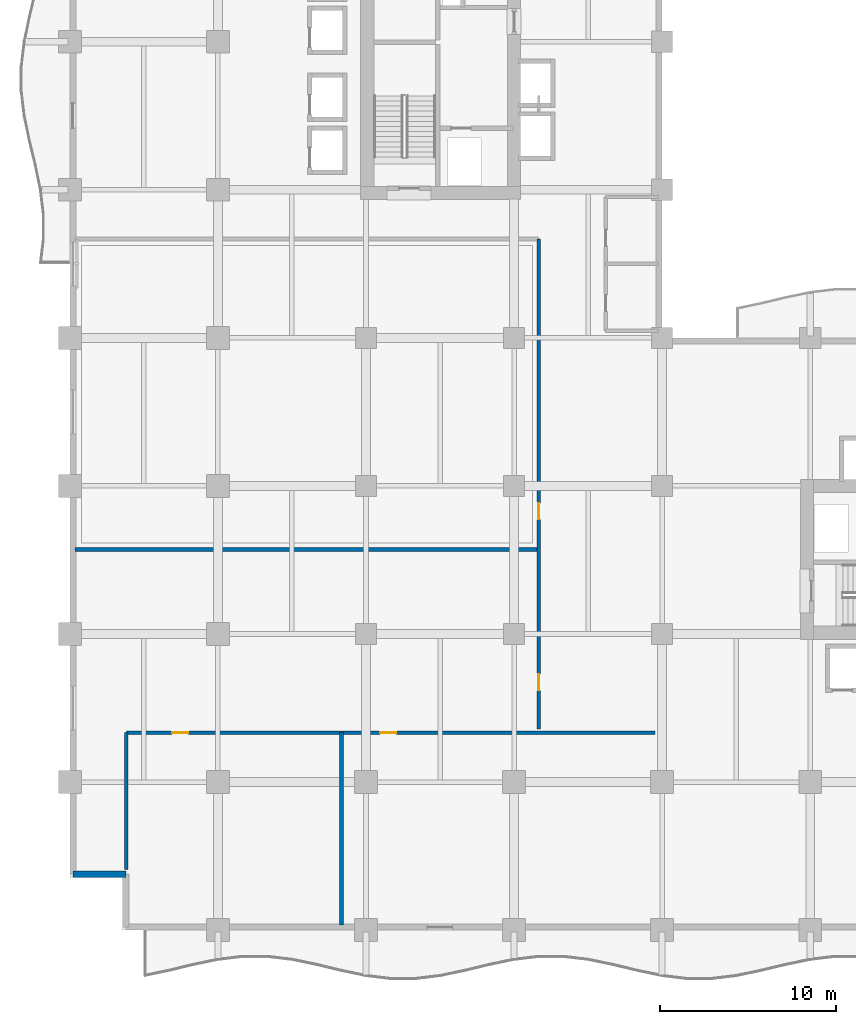
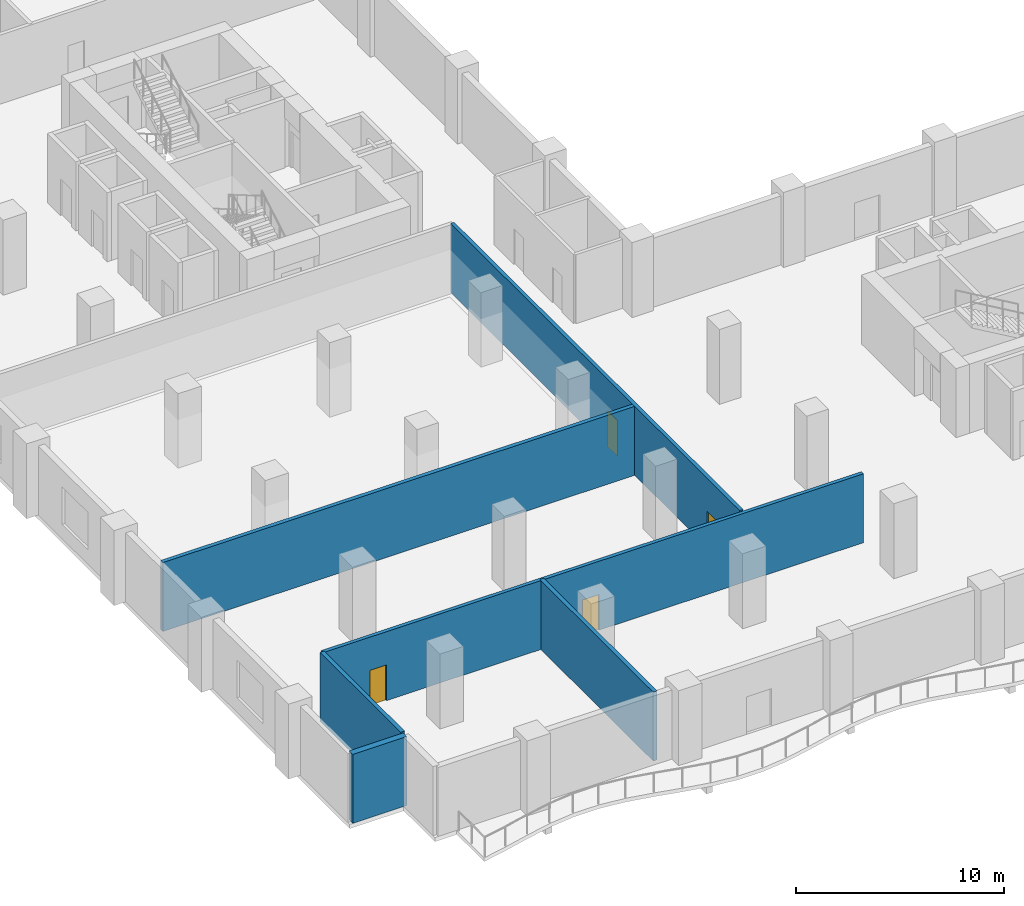
# One storey, part 12 of 24: 6 walls, 4 doors, 4 openings.
"""IFC4 building model written with IfcOpenShell, lengths in metres."""

from ifc_helpers import new_model, si_unit, direction, frame, frame_2d, origin, place, context, subcontext, project, spatial, rectangle, extrude, material, layer, layer_set, type_object, element, fill, save


model = new_model("IFC4")

# Units and contexts
model_context = context("Model", 3, precision=1e-05, world=origin(), true_north=direction((0.0, 1.0)))
body_context = subcontext(model_context, "Body", "Model", "MODEL_VIEW")
ifc_project = project(units=[si_unit("LENGTHUNIT", "METRE"), si_unit("AREAUNIT", "SQUARE_METRE"), si_unit("VOLUMEUNIT", "CUBIC_METRE"), si_unit("PLANEANGLEUNIT", "RADIAN"), si_unit("MASSUNIT", "GRAM", prefix="KILO")], contexts=[model_context])

# Site, building, storey
site_placement = place(None, origin())
site = spatial("IfcSite", under=ifc_project, at=site_placement, CompositionType="ELEMENT")
building_placement = place(site_placement, origin())
building = spatial("IfcBuilding", under=site, at=building_placement, Name="Koriwani Terraces Tower", CompositionType="ELEMENT")
storey_placement = place(building_placement, frame((0.0, 0.0, 89.60009765625)))
storey = spatial("IfcBuildingStorey", under=building, at=storey_placement, Name="L21", CompositionType="ELEMENT", Elevation=89.60009765625)

# Wall, openings, doors
ifc_material_1 = material(Name="Autoclaved Cellular Concrete Blockwork", Category="masonry")
ifc_layer_1 = layer(ifc_material_1, 0.199951171875, Name="Autoclaved Cellular Concrete Blockwork")
ifc_layer_set_1 = layer_set([ifc_layer_1], Name="Autoclaved Cellular Concrete Blockwork")
wall_type_1 = type_object("IfcWallType", Name="WALL_CORRIDOR_200", PredefinedType="PARTITIONING", material=ifc_layer_set_1)
wall_1_placement = place(storey_placement, frame((3.199951171875, 11.199951171875, 0.0), z_axis=(0.0, 0.0, 1.0), x_axis=(1.0, 0.0, 0.0)))
wall_1 = element("IfcWall", 1, at=wall_1_placement, inside=storey, type_object=wall_type_1, Name="L21 Interior Wall WSKY-SPN-L21", PredefinedType="PARTITIONING", context=body_context, shape_type="SweptSolid", body=[
    extrude(rectangle(XDim=30.0, YDim=0.199951171875, at=frame_2d((15.0, 0.0))), origin(), (0.0, 0.0, 1.0), 4.0498046875),
])
opening_1_placement = place(wall_1_placement, frame((2.60009765625, 0.0, 0.0)))
opening_1 = element("IfcOpeningElement", 2, at=opening_1_placement, cuts=wall_1, Name="Opening D-06", PredefinedType="OPENING", context=body_context, shape_type="SweptSolid", body=[
    extrude(rectangle(XDim=0.919921875, YDim=2.10009765625, at=frame_2d((0.4599609375, 1.050048828125))), frame((0.0, 0.10986328125, 0.0), z_axis=(0.0, -1.0, 0.0), x_axis=(1.0, 0.0, 0.0)), (0.0, 0.0, 1.0), 0.219970703125),
])
opening_2_placement = place(wall_1_placement, frame((14.39990234375, 0.0, 0.0)))
opening_2 = element("IfcOpeningElement", 3, at=opening_2_placement, cuts=wall_1, Name="Opening D-06", PredefinedType="OPENING", context=body_context, shape_type="SweptSolid", body=[
    extrude(rectangle(XDim=0.919921875, YDim=2.10009765625, at=frame_2d((0.4599609375, 1.050048828125))), frame((0.0, 0.10986328125, 0.0), z_axis=(0.0, -1.0, 0.0), x_axis=(1.0, 0.0, 0.0)), (0.0, 0.0, 1.0), 0.219970703125),
])
ifc_material_2 = material(Name="Architectural Oak Fire Door", Category="wood")
door_type = type_object("IfcDoorType", Name="DOOR_ROOM_INT_920X2100", OperationType="NOTDEFINED", PredefinedType="DOOR", material=ifc_material_2)
door_1_placement = place(opening_1_placement, origin())
door_1 = element("IfcDoor", 4, at=door_1_placement, inside=storey, type_object=door_type, Name="L21 Sky Spa Salon Door", OperationType="SINGLE_SWING_LEFT", OverallHeight=2.10009765625, OverallWidth=0.919921875, PredefinedType="DOOR", context=body_context, shape_type="SweptSolid", body=[
    extrude(rectangle(XDim=0.919921875, YDim=2.10009765625, at=frame_2d((0.4599609375, 1.050048828125))), frame((0.0, 0.02490234375, 0.0), z_axis=(0.0, -1.0, 0.0), x_axis=(1.0, 0.0, 0.0)), (0.0, 0.0, 1.0), 0.050048828125),
])
fill(opening_1, door_1)
door_2_placement = place(opening_2_placement, origin())
door_2 = element("IfcDoor", 5, at=door_2_placement, inside=storey, type_object=door_type, Name="L21 Sommelier Kitchen Door", OperationType="SINGLE_SWING_RIGHT", OverallHeight=2.10009765625, OverallWidth=0.919921875, PredefinedType="DOOR", context=body_context, shape_type="SweptSolid", body=[
    extrude(rectangle(XDim=0.919921875, YDim=2.10009765625, at=frame_2d((0.4599609375, 1.050048828125))), frame((0.0, 0.02490234375, 0.0), z_axis=(0.0, -1.0, 0.0), x_axis=(1.0, 0.0, 0.0)), (0.0, 0.0, 1.0), 0.050048828125),
])
fill(opening_2, door_2)

wall_2_placement = place(storey_placement, frame((26.60009765625, 11.39990234375, 0.0), z_axis=(0.0, 0.0, 1.0), x_axis=(0.0, 1.0, 0.0)))
wall_2 = element("IfcWall", 6, at=wall_2_placement, inside=storey, type_object=wall_type_1, Name="L21 Interior Wall WSKY-WME-L21", PredefinedType="PARTITIONING", context=body_context, shape_type="SweptSolid", body=[
    extrude(rectangle(XDim=27.800048828125, YDim=0.199951171875, at=frame_2d((13.89990234375, 0.0))), origin(), (0.0, 0.0, 1.0), 4.0498046875),
])
opening_3_placement = place(wall_2_placement, frame((2.199951171875, 0.0, 0.0)))
opening_3 = element("IfcOpeningElement", 7, at=opening_3_placement, cuts=wall_2, Name="Opening D-06", PredefinedType="OPENING", context=body_context, shape_type="SweptSolid", body=[
    extrude(rectangle(XDim=0.919921875, YDim=2.10009765625, at=frame_2d((0.4599609375, 1.050048828125))), frame((0.0, 0.10986328125, 0.0), z_axis=(0.0, -1.0, 0.0), x_axis=(1.0, 0.0, 0.0)), (0.0, 0.0, 1.0), 0.219970703125),
])
opening_4_placement = place(wall_2_placement, frame((11.89990234375, 0.0, 0.0)))
opening_4 = element("IfcOpeningElement", 8, at=opening_4_placement, cuts=wall_2, Name="Opening D-06", PredefinedType="OPENING", context=body_context, shape_type="SweptSolid", body=[
    extrude(rectangle(XDim=0.919921875, YDim=2.10009765625, at=frame_2d((0.4599609375, 1.050048828125))), frame((0.0, 0.10986328125, 0.0), z_axis=(0.0, -1.0, 0.0), x_axis=(1.0, 0.0, 0.0)), (0.0, 0.0, 1.0), 0.219970703125),
])
door_3_placement = place(opening_3_placement, origin())
door_3 = element("IfcDoor", 9, at=door_3_placement, inside=storey, type_object=door_type, Name="L21 Screening Room Door", OperationType="SINGLE_SWING_LEFT", OverallHeight=2.10009765625, OverallWidth=0.919921875, PredefinedType="DOOR", context=body_context, shape_type="SweptSolid", body=[
    extrude(rectangle(XDim=0.919921875, YDim=2.10009765625, at=frame_2d((0.4599609375, 1.050048828125))), frame((0.0, 0.02490234375, 0.0), z_axis=(0.0, -1.0, 0.0), x_axis=(1.0, 0.0, 0.0)), (0.0, 0.0, 1.0), 0.050048828125),
])
fill(opening_3, door_3)
door_4_placement = place(opening_4_placement, origin())
door_4 = element("IfcDoor", 10, at=door_4_placement, inside=storey, type_object=door_type, Name="L21 Study Library Door", OperationType="SINGLE_SWING_RIGHT", OverallHeight=2.10009765625, OverallWidth=0.919921875, PredefinedType="DOOR", context=body_context, shape_type="SweptSolid", body=[
    extrude(rectangle(XDim=0.919921875, YDim=2.10009765625, at=frame_2d((0.4599609375, 1.050048828125))), frame((0.0, 0.02490234375, 0.0), z_axis=(0.0, -1.0, 0.0), x_axis=(1.0, 0.0, 0.0)), (0.0, 0.0, 1.0), 0.050048828125),
])
fill(opening_4, door_4)

# Walls
ifc_layer_2 = layer(ifc_material_1, 0.219970703125, Name="Autoclaved Cellular Concrete Blockwork")
ifc_layer_set_2 = layer_set([ifc_layer_2], Name="Autoclaved Cellular Concrete Blockwork")
wall_type_2 = type_object("IfcWallType", Name="WALL_DEMISING_220", PredefinedType="PARTITIONING", material=ifc_layer_set_2)
wall_3_placement = place(storey_placement, frame((3.199951171875, 3.449951171875, 0.0), z_axis=(0.0, 0.0, 1.0), x_axis=(0.0, 1.0, 0.0)))
element("IfcWall", 11, at=wall_3_placement, inside=storey, type_object=wall_type_2, Name="L21 Interior Wall WSKY-SPW-L21", PredefinedType="PARTITIONING", context=body_context, shape_type="SweptSolid", body=[
    extrude(rectangle(XDim=7.75, YDim=0.219970703125, at=frame_2d((3.875, 0.0))), origin(), (0.0, 0.0, 1.0), 4.0498046875),
])
wall_4_placement = place(storey_placement, frame((15.39990234375, 0.300048828125, 0.0), z_axis=(0.0, 0.0, 1.0), x_axis=(0.0, 1.0, 0.0)))
element("IfcWall", 12, at=wall_4_placement, inside=storey, type_object=wall_type_2, Name="L21 Interior Wall WSKY-SPM-L21", PredefinedType="PARTITIONING", context=body_context, shape_type="SweptSolid", body=[
    extrude(rectangle(XDim=10.89990234375, YDim=0.219970703125, at=frame_2d((5.449951171875, 0.0))), origin(), (0.0, 0.0, 1.0), 4.0498046875),
])
wall_5_placement = place(storey_placement, frame((0.300048828125, 21.60009765625, 0.0), z_axis=(0.0, 0.0, 1.0), x_axis=(1.0, 0.0, 0.0)))
element("IfcWall", 13, at=wall_5_placement, inside=storey, type_object=wall_type_2, Name="L21 Interior Wall WSKY-WMM-L21", PredefinedType="PARTITIONING", context=body_context, shape_type="SweptSolid", body=[
    extrude(rectangle(XDim=26.300048828125, YDim=0.219970703125, at=frame_2d((13.14990234375, 0.0))), origin(), (0.0, 0.0, 1.0), 4.0498046875),
])
ifc_material_3 = material(Name="Concrete C50/60", Category="concrete")
ifc_layer_3 = layer(ifc_material_3, 0.35009765625, Name="Concrete C50/60")
ifc_layer_set_3 = layer_set([ifc_layer_3], Name="Concrete C50/60")
wall_type_3 = type_object("IfcWallType", Name="WALL_EXT_BRUTALIST_350", PredefinedType="STANDARD", material=ifc_layer_set_3)
wall_6_placement = place(storey_placement, frame((3.175048828125, 3.175048828125, 0.0), z_axis=(0.0, 0.0, 1.0), x_axis=(-1.0, 0.0, 0.0)))
element("IfcWall", 14, at=wall_6_placement, inside=storey, type_object=wall_type_3, Name="L21 Fair-Faced Brutalist Exterior Wall (N1)", PredefinedType="STANDARD", context=body_context, shape_type="SweptSolid", body=[
    extrude(rectangle(XDim=3.0, YDim=0.35009765625, at=frame_2d((1.5, 0.0))), origin(), (0.0, 0.0, 1.0), 4.0498046875),
])

save(model, "model.ifc")
